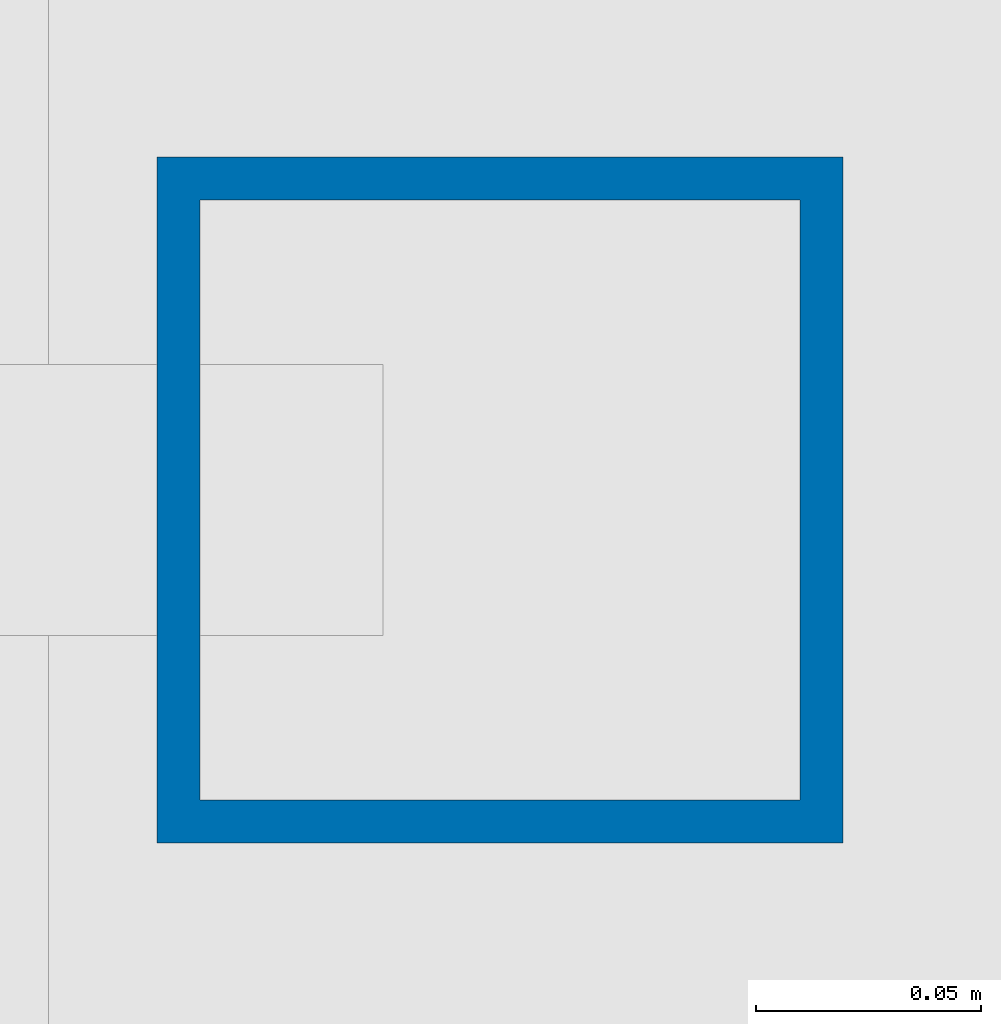
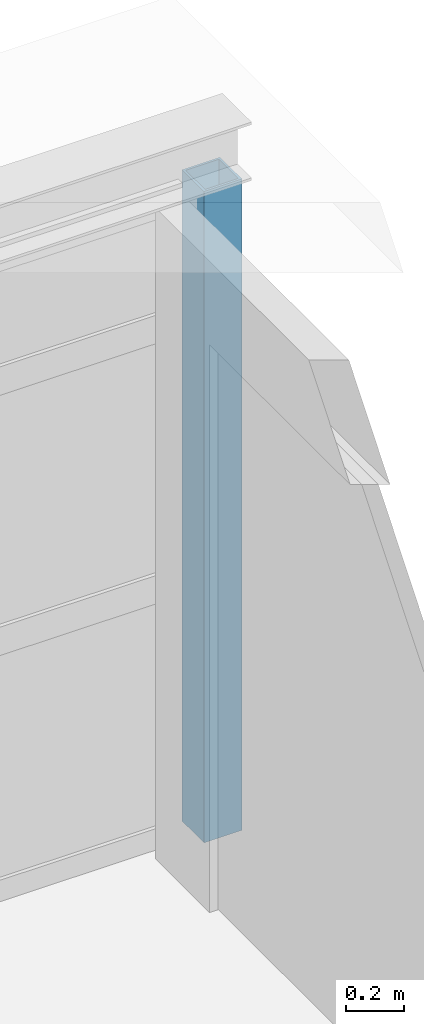
# One storey, part 29 of 131: 1 column.
"""IFC4 building model written with IfcOpenShell, lengths in metres."""

import ifcopenshell
import ifcopenshell.guid

model = None  # the IFC model being written
_history = None  # IfcOwnerHistory: only IFC2X3 demands one
_inside = {}  # id of a spatial element -> (the spatial element, [elements in it])
_under = {}  # id of a project, library or spatial element -> (it, [spatial elements below it])
_declared = {}  # id of a project -> (the project, [libraries it declares])
_typed = {}  # id of a type object -> (the type object, [elements of that type])
_made_of = {}  # id of a material, layer set ... -> (it, [elements and type objects made of it])


def new_model(schema):
    """Start an empty IFC model of exactly this schema.

    Asked for "IFC4X3", IfcOpenShell would pick the latest addendum, in which some entities
    have other attributes; the version numbers below select the first issue.
    IFC2X3 requires an IfcOwnerHistory on every rooted entity: one is made here for all.
    """
    global model, _history
    if schema == "IFC4X3":
        model = ifcopenshell.file(schema_version=(4, 3, 0, 0))
    else:
        model = ifcopenshell.file(schema=schema)
    _inside.clear()
    _under.clear()
    _declared.clear()
    _typed.clear()
    _made_of.clear()
    _history = None
    if model.schema == "IFC2X3":
        org = make("IfcOrganization", Name="unknown")
        user = make(
            "IfcPersonAndOrganization",
            ThePerson=make("IfcPerson", FamilyName="unknown"),
            TheOrganization=org,
        )
        app = make(
            "IfcApplication",
            ApplicationDeveloper=org,
            Version="unknown",
            ApplicationFullName="unknown",
            ApplicationIdentifier="unknown",
        )
        _history = make(
            "IfcOwnerHistory",
            OwningUser=user,
            OwningApplication=app,
            ChangeAction="ADDED",
            CreationDate=0,
        )
    return model


def make(cls, **values):
    """One entity of the class cls with the attributes given. An attribute that is None is left unset."""
    return model.create_entity(
        cls, **{name: value for name, value in values.items() if value is not None}
    )


def rooted(cls, **values):
    """An entity with a GlobalId (a new one), such as an element, a storey or a relation."""
    return make(cls, GlobalId=ifcopenshell.guid.new(), OwnerHistory=_history, **values)


def si_unit(unit_type, name, prefix=None):
    """IfcSIUnit, for example si_unit("LENGTHUNIT", "METRE", prefix="MILLI")."""
    return make("IfcSIUnit", UnitType=unit_type, Prefix=prefix, Name=name)


def assignment(units):
    """IfcUnitAssignment: the units of a project."""
    return None if units is None else make("IfcUnitAssignment", Units=units)


def point(xyz):
    """IfcCartesianPoint."""
    return None if xyz is None else make("IfcCartesianPoint", Coordinates=xyz)


def direction(xyz):
    """IfcDirection."""
    return None if xyz is None else make("IfcDirection", DirectionRatios=xyz)


def frame(location, z_axis=None, x_axis=None):
    """IfcAxis2Placement3D, a coordinate frame: its origin and axes. An axis left out is left unset."""
    return make(
        "IfcAxis2Placement3D",
        Location=point(location),
        Axis=direction(z_axis),
        RefDirection=direction(x_axis),
    )


def frame_2d(location, x_axis=None):
    """IfcAxis2Placement2D, a coordinate frame in the plane: its origin and x axis."""
    return make(
        "IfcAxis2Placement2D", Location=point(location), RefDirection=direction(x_axis)
    )


def origin():
    """The frame at (0, 0, 0) with its axes left unset."""
    return frame((0.0, 0.0, 0.0))


def origin_2d():
    """The frame at (0, 0) in the plane with its x axis left unset."""
    return frame_2d((0.0, 0.0))


def place(relative_to, where):
    """IfcLocalPlacement: puts the frame where relative to a parent placement (None: the world)."""
    return make(
        "IfcLocalPlacement", PlacementRelTo=relative_to, RelativePlacement=where
    )


def context(
    kind, dimensions, precision=None, world=None, true_north=None, identifier=None
):
    """IfcGeometricRepresentationContext, for example the 3D "Model" context."""
    return make(
        "IfcGeometricRepresentationContext",
        ContextIdentifier=identifier,
        ContextType=kind,
        CoordinateSpaceDimension=dimensions,
        Precision=precision,
        WorldCoordinateSystem=world,
        TrueNorth=true_north,
    )


def subcontext(parent, identifier, kind, view, scale=None):
    """IfcGeometricRepresentationSubContext, for example "Body" below "Model"."""
    return make(
        "IfcGeometricRepresentationSubContext",
        ContextIdentifier=identifier,
        ContextType=kind,
        ParentContext=parent,
        TargetScale=scale,
        TargetView=view,
    )


def project(units=None, contexts=None):
    """IfcProject with its units and contexts."""
    return rooted(
        "IfcProject",
        Name="project",
        RepresentationContexts=contexts,
        UnitsInContext=assignment(units),
    )


def spatial(cls, under=None, at=None, **own):
    """A site, building, storey or space (cls), placed at a placement, below another one or the project."""
    s = rooted(cls, ObjectPlacement=at, **own)
    if under is not None:
        _under.setdefault(under.id(), (under, []))[1].append(s)
    return s


def profile(cls, at=None, kind="AREA", **sizes):
    """A parametric profile (cls). Its sizes go by their IFC names, for example OverallWidth=200.0."""
    return make(cls, ProfileType=kind, Position=at, **sizes)


def hollow_rectangle(**sizes):
    """IfcRectangleHollowProfileDef."""
    return profile("IfcRectangleHollowProfileDef", **sizes)


def extrude(swept, where, along, depth):
    """IfcExtrudedAreaSolid: the profile swept, set in the frame where, extruded along a direction by depth."""
    return make(
        "IfcExtrudedAreaSolid",
        SweptArea=swept,
        Position=where,
        ExtrudedDirection=direction(along),
        Depth=depth,
    )


def shape(context_of_items, identifier, shape_type, items):
    """IfcShapeRepresentation: the items that make up one representation, for example the "Body"."""
    return make(
        "IfcShapeRepresentation",
        ContextOfItems=context_of_items,
        RepresentationIdentifier=identifier,
        RepresentationType=shape_type,
        Items=items,
    )


def material(Name=None, Category=None):
    """IfcMaterial."""
    return make("IfcMaterial", Name=Name, Category=Category)


def material_profile(
    of_material, cross_section, Name=None, Category=None, Priority=None
):
    """IfcMaterialProfile: a cross section and its material."""
    return make(
        "IfcMaterialProfile",
        Name=Name,
        Material=of_material,
        Profile=cross_section,
        Priority=Priority,
        Category=Category,
    )


def profile_set(profiles, Name=None, composite=None):
    """IfcMaterialProfileSet."""
    return make(
        "IfcMaterialProfileSet",
        Name=Name,
        MaterialProfiles=profiles,
        CompositeProfile=composite,
    )


def made_of(thing, what):
    """Note that an element or type object is made of a material, layer set ...; save() writes the relation."""
    if what is not None:
        _made_of.setdefault(what.id(), (what, []))[1].append(thing)
    return thing


def type_object(cls, material=None, **own):
    """A type object (cls), such as IfcWallType, which elements share."""
    return made_of(rooted(cls, **own), material)


def element(
    cls,
    number,
    at=None,
    inside=None,
    cuts=None,
    type_object=None,
    material=None,
    context=None,
    identifier="Body",
    shape_type=None,
    held_by="IfcProductDefinitionShape",
    body=None,
    shapes=None,
    **own,
):
    """One element of the class cls, such as IfcWall. Its Tag is "e" and its number.

    at: its placement. inside: the storey or other place that contains it. cuts: it is an
    opening in that element (IfcRelVoidsElement). A single representation is given by context,
    identifier, shape_type and body (its items); several are given by shapes. held_by: the class
    of the entity that holds the representations. save() writes the other relations.
    """
    e = rooted(cls, Tag="e%d" % number, ObjectPlacement=at, **own)
    if body is not None:
        shapes = [shape(context, identifier, shape_type, body)]
    if shapes is not None:
        e.Representation = make(held_by, Representations=shapes)
    if inside is not None:
        _inside.setdefault(inside.id(), (inside, []))[1].append(e)
    if cuts is not None:
        rooted(
            "IfcRelVoidsElement", RelatingBuildingElement=cuts, RelatedOpeningElement=e
        )
    if type_object is not None:
        _typed.setdefault(type_object.id(), (type_object, []))[1].append(e)
    return made_of(e, material)


def aggregate(whole, parts):
    """IfcRelAggregates: a whole, such as a stair, and the parts it consists of."""
    return rooted("IfcRelAggregates", RelatingObject=whole, RelatedObjects=parts)


def save(model, path):
    """Write the relations noted so far, then the file.

    IfcRelAggregates (storeys below a building ...), IfcRelContainedInSpatialStructure (elements
    in a storey), IfcRelDefinesByType, IfcRelAssociatesMaterial and IfcRelDeclares: one each for
    every whole, place, type object, material and project.
    """
    for whole, parts in _under.values():
        aggregate(whole, parts)
    for where, things in _inside.values():
        rooted(
            "IfcRelContainedInSpatialStructure",
            RelatedElements=things,
            RelatingStructure=where,
        )
    for kind, things in _typed.values():
        rooted("IfcRelDefinesByType", RelatedObjects=things, RelatingType=kind)
    for what, things in _made_of.values():
        rooted("IfcRelAssociatesMaterial", RelatedObjects=things, RelatingMaterial=what)
    for by, libraries in _declared.values():
        rooted("IfcRelDeclares", RelatingContext=by, RelatedDefinitions=libraries)
    model.write(path)


model = new_model("IFC4")

# Units and contexts
model_context = context("Model", 3, precision=1e-05, world=origin(), true_north=direction((0.0, 1.0)))
body_context = subcontext(model_context, "Body", "Model", "MODEL_VIEW")
ifc_project = project(units=[si_unit("LENGTHUNIT", "METRE"), si_unit("AREAUNIT", "SQUARE_METRE"), si_unit("VOLUMEUNIT", "CUBIC_METRE"), si_unit("PLANEANGLEUNIT", "RADIAN"), si_unit("MASSUNIT", "GRAM", prefix="KILO")], contexts=[model_context])

# Site, building, storey
site_placement = place(None, origin())
site = spatial("IfcSite", under=ifc_project, at=site_placement, CompositionType="ELEMENT")
building_placement = place(site_placement, origin())
building = spatial("IfcBuilding", under=site, at=building_placement, Name="Alderwick Market Hall", CompositionType="ELEMENT")
storey_placement = place(building_placement, frame((0.0, 0.0, 4.800048828125)))
storey = spatial("IfcBuildingStorey", under=building, at=storey_placement, Name="L00", CompositionType="ELEMENT", Elevation=4.800048828125)

# Column
ifc_material = material(Name="Steel ASTM A500 Grade C", Category="steel")
ifc_material_profile = material_profile(ifc_material, hollow_rectangle(XDim=0.152099609375, YDim=0.152099609375, WallThickness=0.009521484375, at=origin_2d()), Name="HSS152x152x9.5")
ifc_profile_set = profile_set([ifc_material_profile], Name="Steel ASTM A500 Grade C")
column_type = type_object("IfcColumnType", Name="P HSS Column 152x152x9.5", PredefinedType="COLUMN", material=ifc_profile_set)
column_placement = place(storey_placement, frame((50.0, 129.449951171875, 0.0), z_axis=(0.0, 0.0, 1.0), x_axis=(1.0, 0.0, 0.0)))
element("IfcColumn", 1, at=column_placement, inside=storey, type_object=column_type, Name="P.P7.col.b2", PredefinedType="COLUMN", context=body_context, shape_type="SweptSolid", body=[
    extrude(hollow_rectangle(XDim=0.152099609375, YDim=0.152099609375, WallThickness=0.009521484375, at=origin_2d()), origin(), (0.0, 0.0, 1.0), 2.7529296875),
])

save(model, "model.ifc")
